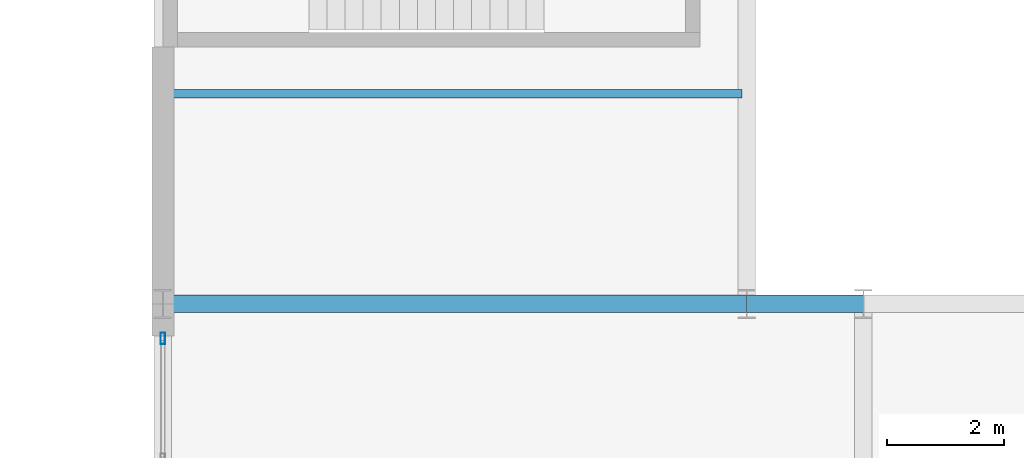
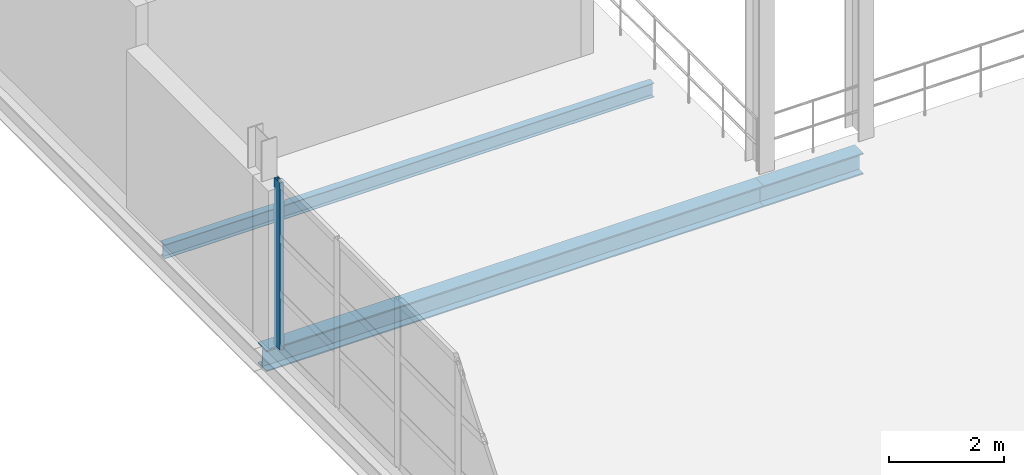
# One storey, part 27 of 158: 3 beams, 1 member, 1 element without a shape of its own.
"""IFC4 building model written with IfcOpenShell, lengths in metres."""

from ifc_helpers import new_model, si_unit, direction, frame, origin, origin_2d, place, context, subcontext, project, spatial, hollow_rectangle, i_section, extrude, material, layer, layer_set, material_profile, profile_set, type_object, element, aggregate, save


model = new_model("IFC4")

# Units and contexts
model_context = context("Model", 3, precision=1e-05, world=origin(), true_north=direction((0.0, 1.0)))
body_context = subcontext(model_context, "Body", "Model", "MODEL_VIEW")
ifc_project = project(units=[si_unit("LENGTHUNIT", "METRE"), si_unit("AREAUNIT", "SQUARE_METRE"), si_unit("VOLUMEUNIT", "CUBIC_METRE"), si_unit("PLANEANGLEUNIT", "RADIAN"), si_unit("MASSUNIT", "GRAM", prefix="KILO")], contexts=[model_context])

# Site, building, storey
site_placement = place(None, origin())
site = spatial("IfcSite", under=ifc_project, at=site_placement, CompositionType="ELEMENT")
building_placement = place(site_placement, origin())
building = spatial("IfcBuilding", under=site, at=building_placement, Name="Zilviju Railside Exhibition Hall", CompositionType="ELEMENT")
storey_placement = place(building_placement, frame((0.0, 0.0, 4.199951171875)))
storey = spatial("IfcBuildingStorey", under=building, at=storey_placement, Name="L02", CompositionType="ELEMENT", Elevation=4.199951171875)

# Beams
ifc_material_1 = material(Name="Steel S355J2", Category="steel")
ifc_material_profile_1 = material_profile(ifc_material_1, i_section(OverallWidth=0.300048828125, OverallDepth=0.449951171875, WebThickness=0.013916015625, FlangeThickness=0.02587890625, at=origin_2d()), Name="HEB 450")
ifc_profile_set_1 = profile_set([ifc_material_profile_1], Name="Steel S355J2")
beam_type_1 = type_object("IfcBeamType", Name="BM-HEB450", PredefinedType="BEAM", material=ifc_profile_set_1)
beam_1_placement = place(storey_placement, frame((48.0, 18.0, -0.574951171875), z_axis=(1.0, 0.0, 0.0), x_axis=(0.0, 1.0, 0.0)))
element("IfcBeam", 1, at=beam_1_placement, inside=storey, type_object=beam_type_1, Name="Primary Girder L02 Y=18.0 (48.0..58.0)", PredefinedType="BEAM", context=body_context, shape_type="SweptSolid", body=[
    extrude(i_section(OverallWidth=0.300048828125, OverallDepth=0.449951171875, WebThickness=0.013916015625, FlangeThickness=0.02587890625, at=origin_2d()), origin(), (0.0, 0.0, 1.0), 10.0),
])
beam_2_placement = place(storey_placement, frame((58.0, 18.0, -0.574951171875), z_axis=(1.0, 0.0, 0.0), x_axis=(0.0, 1.0, 0.0)))
element("IfcBeam", 2, at=beam_2_placement, inside=storey, type_object=beam_type_1, Name="Primary Girder L02 Y=18.0 (58.0..60.0)", PredefinedType="BEAM", context=body_context, shape_type="SweptSolid", body=[
    extrude(i_section(OverallWidth=0.300048828125, OverallDepth=0.449951171875, WebThickness=0.013916015625, FlangeThickness=0.02587890625, at=origin_2d()), origin(), (0.0, 0.0, 1.0), 2.0),
])
ifc_material_profile_2 = material_profile(ifc_material_1, i_section(OverallWidth=0.14990234375, OverallDepth=0.300048828125, WebThickness=0.007080078125, FlangeThickness=0.0107421875, at=origin_2d()), Name="IPE 300")
ifc_profile_set_2 = profile_set([ifc_material_profile_2], Name="Steel S355J2")
beam_type_2 = type_object("IfcBeamType", Name="BM-IPE300", PredefinedType="JOIST", material=ifc_profile_set_2)
beam_3_placement = place(storey_placement, frame((48.080078125, 21.60009765625, -0.510009765625), z_axis=(1.0, 0.0, 0.0), x_axis=(0.0, 1.0, 0.0)))
element("IfcBeam", 3, at=beam_3_placement, inside=storey, type_object=beam_type_2, Name="Composite Floor Joist L02 Y=21.60 (48.0..58.0)", PredefinedType="JOIST", context=body_context, shape_type="SweptSolid", body=[
    extrude(i_section(OverallWidth=0.14990234375, OverallDepth=0.300048828125, WebThickness=0.007080078125, FlangeThickness=0.0107421875, at=origin_2d()), origin(), (0.0, 0.0, 1.0), 9.83984375),
])

# Curtain wall, member
ifc_material_2 = material(Name="Thermally broken aluminium-steel triple-glazed curtain wall", Category="steel")
ifc_layer = layer(ifc_material_2, 0.179931640625)
ifc_layer_set = layer_set([ifc_layer], Name="Thermally broken aluminium-steel triple-glazed curtain wall")
curtain_wall_type = type_object("IfcCurtainWallType", Name="CW-BAY-14", PredefinedType="USERDEFINED", material=ifc_layer_set)
curtain_wall_placement = place(storey_placement, origin())
curtain_wall = element("IfcCurtainWall", 4, at=curtain_wall_placement, inside=storey, type_object=curtain_wall_type, Name="Winter Concourse Forecourt Curtain Wall L02", ObjectType="GLAZED CURTAIN WALL", PredefinedType="USERDEFINED")
ifc_material_3 = material(Name="Thermally broken anodized aluminium mullion", Category="aluminium")
ifc_material_profile_3 = material_profile(ifc_material_3, hollow_rectangle(XDim=0.080078125, YDim=0.199951171875, WallThickness=0.0048828125, at=origin_2d()), Name="MULLION 200x80x5")
ifc_profile_set_3 = profile_set([ifc_material_profile_3], Name="Thermally broken anodized aluminium mullion")
member_type = type_object("IfcMemberType", Name="CWM-80x200", PredefinedType="MULLION", material=ifc_profile_set_3)
member_placement = place(storey_placement, frame((48.0, 17.409912109375, 0.0), z_axis=(0.0, 0.0, 1.0), x_axis=(-1.0, 0.0, 0.0)))
member = element("IfcMember", 5, at=member_placement, type_object=member_type, Name="CW-14 mullion 9", PredefinedType="MULLION", context=body_context, shape_type="SweptSolid", body=[
    extrude(hollow_rectangle(XDim=0.080078125, YDim=0.199951171875, WallThickness=0.0048828125, at=origin_2d()), origin(), (0.0, 0.0, 1.0), 3.550048828125),
])
aggregate(curtain_wall, [member])

save(model, "model.ifc")
